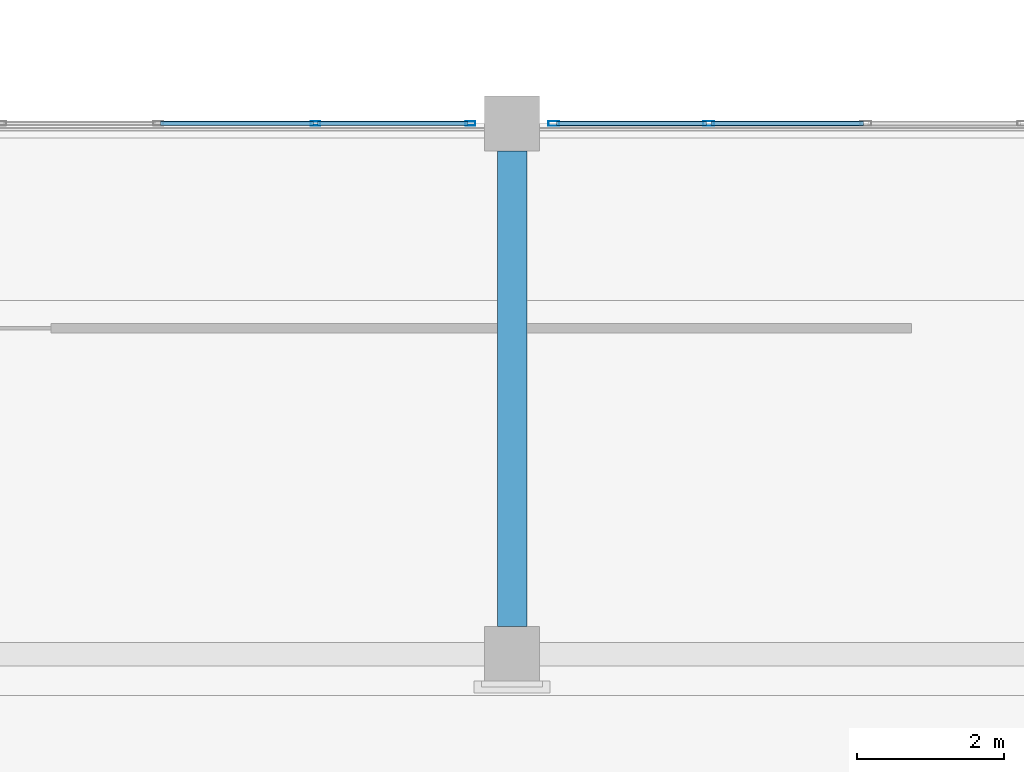
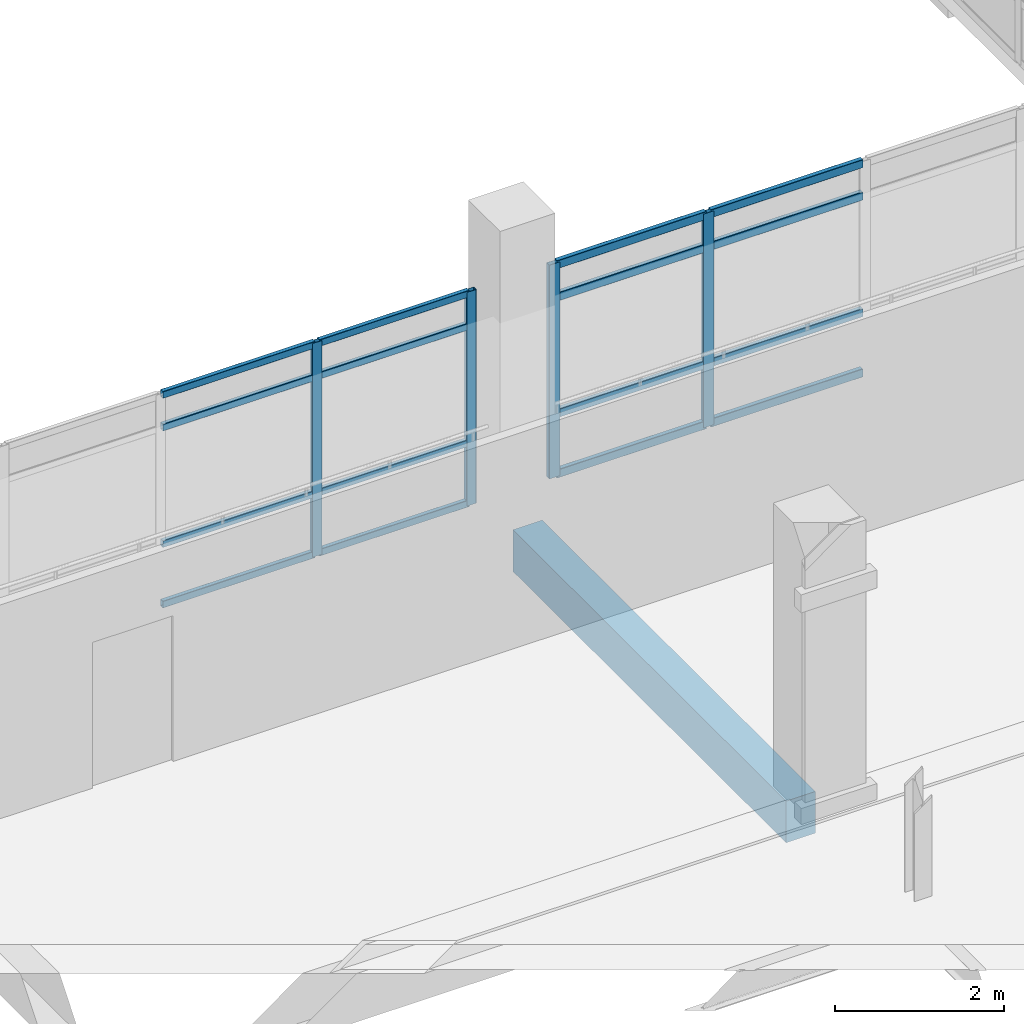
# One storey, part 83 of 180: 20 members, 1 beam, 2 elements without a shape of their own.
"""IFC4 building model written with IfcOpenShell, lengths in metres."""

from ifc_helpers import new_model, si_unit, direction, frame, origin, origin_2d, place, context, subcontext, project, spatial, rectangle, hollow_rectangle, extrude, material, layer, layer_set, material_profile, profile_set, type_object, element, aggregate, save


model = new_model("IFC4")

# Units and contexts
model_context = context("Model", 3, precision=1e-05, world=origin(), true_north=direction((0.0, 1.0)))
body_context = subcontext(model_context, "Body", "Model", "MODEL_VIEW")
ifc_project = project(units=[si_unit("LENGTHUNIT", "METRE"), si_unit("AREAUNIT", "SQUARE_METRE"), si_unit("VOLUMEUNIT", "CUBIC_METRE"), si_unit("PLANEANGLEUNIT", "RADIAN"), si_unit("MASSUNIT", "GRAM", prefix="KILO")], contexts=[model_context])

# Site, building, storey
site_placement = place(None, origin())
site = spatial("IfcSite", under=ifc_project, at=site_placement, CompositionType="ELEMENT")
building_placement = place(site_placement, origin())
building = spatial("IfcBuilding", under=site, at=building_placement, Name="Asteropetra Specialist Clinic", CompositionType="ELEMENT")
storey_placement = place(building_placement, frame((0.0, 0.0, 4.419921875)))
storey = spatial("IfcBuildingStorey", under=building, at=storey_placement, Name="L01", CompositionType="ELEMENT", Elevation=4.419921875)

# Beam
ifc_material_1 = material(Name="Concrete C35/45", Category="concrete")
ifc_material_profile_1 = material_profile(ifc_material_1, rectangle(XDim=0.39990234375, YDim=0.60009765625, at=origin_2d()), Name="RCB 400x600")
ifc_profile_set_1 = profile_set([ifc_material_profile_1], Name="Concrete C35/45")
beam_type = type_object("IfcBeamType", Name="BM-RC400x600", PredefinedType="BEAM", material=ifc_profile_set_1)
beam_placement = place(storey_placement, frame((19.199951171875, 69.97509765625, -0.579833984375), z_axis=(0.0, 1.0, 0.0), x_axis=(-1.0, 0.0, 0.0)))
element("IfcBeam", 1, at=beam_placement, inside=storey, type_object=beam_type, Name="Beam BBM08-0672", PredefinedType="BEAM", context=body_context, shape_type="SweptSolid", body=[
    extrude(rectangle(XDim=0.39990234375, YDim=0.60009765625, at=origin_2d()), origin(), (0.0, 0.0, 1.0), 6.449951171875),
])

# Curtain wall, members
ifc_material_2 = material(Name="Aluminium and low-E glass", Category="aluminium")
ifc_layer_1 = layer(ifc_material_2, 0.14990234375)
ifc_layer_set_1 = layer_set([ifc_layer_1], Name="Aluminium and low-E glass")
curtain_wall_type_1 = type_object("IfcCurtainWallType", Name="CW-SYS-02", PredefinedType="USERDEFINED", material=ifc_layer_set_1)
curtain_wall_1_placement = place(storey_placement, origin())
curtain_wall_1 = element("IfcCurtainWall", 2, at=curtain_wall_1_placement, inside=storey, type_object=curtain_wall_type_1, Name="Curtain Wall CW-017", ObjectType="UNITISED CURTAIN WALL", PredefinedType="USERDEFINED")
ifc_material_3 = material(Name="Aluminium 6063-T6", Category="aluminium")
ifc_material_profile_2 = material_profile(ifc_material_3, hollow_rectangle(XDim=0.06005859375, YDim=0.135009765625, WallThickness=0.00341796875, InnerFilletRadius=0.00341796875, OuterFilletRadius=0.007080078125, at=origin_2d()), Name="MUL 135x60x3.5")
ifc_profile_set_2 = profile_set([ifc_material_profile_2], Name="Aluminium 6063-T6")
member_type_1 = type_object("IfcMemberType", Name="CWM-135x60", PredefinedType="MULLION", material=ifc_profile_set_2)
member_1_placement = place(storey_placement, frame((16.532470703125, 76.800048828125, 0.0), z_axis=(0.0, 0.0, 1.0), x_axis=(0.0, 1.0, 0.0)))
member_1 = element("IfcMember", 3, at=member_1_placement, type_object=member_type_1, Name="CW-017 mullion 4", PredefinedType="MULLION", context=body_context, shape_type="SweptSolid", body=[
    extrude(hollow_rectangle(XDim=0.06005859375, YDim=0.135009765625, WallThickness=0.00341796875, InnerFilletRadius=0.00341796875, OuterFilletRadius=0.007080078125, at=origin_2d()), origin(), (0.0, 0.0, 1.0), 3.080078125),
])
member_2_placement = place(storey_placement, frame((18.635009765625, 76.800048828125, 0.0), z_axis=(0.0, 0.0, 1.0), x_axis=(0.0, 1.0, 0.0)))
member_2 = element("IfcMember", 4, at=member_2_placement, type_object=member_type_1, Name="CW-017 mullion 5", PredefinedType="MULLION", context=body_context, shape_type="SweptSolid", body=[
    extrude(hollow_rectangle(XDim=0.06005859375, YDim=0.135009765625, WallThickness=0.00341796875, InnerFilletRadius=0.00341796875, OuterFilletRadius=0.007080078125, at=origin_2d()), origin(), (0.0, 0.0, 1.0), 3.080078125),
])

ifc_material_4 = material(Name="Aluminium and low-E glass", Category="aluminium")
ifc_layer_2 = layer(ifc_material_4, 0.135009765625)
ifc_layer_set_2 = layer_set([ifc_layer_2], Name="Aluminium and low-E glass")
curtain_wall_type_2 = type_object("IfcCurtainWallType", Name="CW-SYS-03", PredefinedType="USERDEFINED", material=ifc_layer_set_2)
curtain_wall_2_placement = place(storey_placement, origin())
curtain_wall_2 = element("IfcCurtainWall", 5, at=curtain_wall_2_placement, inside=storey, type_object=curtain_wall_type_2, Name="Curtain Wall CW-019", ObjectType="UNITISED CURTAIN WALL", PredefinedType="USERDEFINED")
ifc_material_5 = material(Name="Aluminium 6063-T6", Category="aluminium")
ifc_material_profile_3 = material_profile(ifc_material_5, hollow_rectangle(XDim=0.06494140625, YDim=0.14990234375, WallThickness=0.00390625, InnerFilletRadius=0.00390625, OuterFilletRadius=0.008056640625, at=origin_2d()), Name="MUL 150x65x4.0")
ifc_profile_set_3 = profile_set([ifc_material_profile_3], Name="Aluminium 6063-T6")
member_type_2 = type_object("IfcMemberType", Name="CWM-150x65", PredefinedType="MULLION", material=ifc_profile_set_3)
member_3_placement = place(storey_placement, frame((19.767578125, 76.800048828125, 0.0), z_axis=(0.0, 0.0, 1.0), x_axis=(0.0, 1.0, 0.0)))
member_3 = element("IfcMember", 6, at=member_3_placement, type_object=member_type_2, Name="CW-019 mullion 1", PredefinedType="MULLION", context=body_context, shape_type="SweptSolid", body=[
    extrude(hollow_rectangle(XDim=0.06494140625, YDim=0.14990234375, WallThickness=0.00390625, InnerFilletRadius=0.00390625, OuterFilletRadius=0.008056640625, at=origin_2d()), origin(), (0.0, 0.0, 1.0), 3.080078125),
])
member_4_placement = place(storey_placement, frame((21.867431640625, 76.800048828125, 0.0), z_axis=(0.0, 0.0, 1.0), x_axis=(0.0, 1.0, 0.0)))
member_4 = element("IfcMember", 7, at=member_4_placement, type_object=member_type_2, Name="CW-019 mullion 2", PredefinedType="MULLION", context=body_context, shape_type="SweptSolid", body=[
    extrude(hollow_rectangle(XDim=0.06494140625, YDim=0.14990234375, WallThickness=0.00390625, InnerFilletRadius=0.00390625, OuterFilletRadius=0.008056640625, at=origin_2d()), origin(), (0.0, 0.0, 1.0), 3.080078125),
])

# Member
ifc_material_6 = material(Name="Aluminium 6063-T6", Category="aluminium")
ifc_material_profile_4 = material_profile(ifc_material_6, hollow_rectangle(XDim=0.06005859375, YDim=0.10009765625, WallThickness=0.00341796875, InnerFilletRadius=0.00341796875, OuterFilletRadius=0.007080078125, at=origin_2d()), Name="TRN 100x60x3.5")
ifc_profile_set_4 = profile_set([ifc_material_profile_4], Name="Aluminium 6063-T6")
member_type_3 = type_object("IfcMemberType", Name="CWT-100x60", PredefinedType="USERDEFINED", material=ifc_profile_set_4)
member_5_placement = place(storey_placement, frame((14.429931640625, 76.800048828125, 0.030029296875), z_axis=(1.0, 0.0, 0.0), x_axis=(0.0, 1.0, 0.0)))
member_5 = element("IfcMember", 8, at=member_5_placement, type_object=member_type_3, Name="CW-017 transom 3.1", ObjectType="TRANSOM", PredefinedType="USERDEFINED", context=body_context, shape_type="SweptSolid", body=[
    extrude(hollow_rectangle(XDim=0.06005859375, YDim=0.10009765625, WallThickness=0.00341796875, InnerFilletRadius=0.00341796875, OuterFilletRadius=0.007080078125, at=origin_2d()), origin(), (0.0, 0.0, 1.0), 2.072509765625),
])

member_6_placement = place(storey_placement, frame((14.429931640625, 76.800048828125, 0.900146484375), z_axis=(1.0, 0.0, 0.0), x_axis=(0.0, 1.0, 0.0)))
member_6 = element("IfcMember", 9, at=member_6_placement, type_object=member_type_3, Name="CW-017 transom 3.2", ObjectType="TRANSOM", PredefinedType="USERDEFINED", context=body_context, shape_type="SweptSolid", body=[
    extrude(hollow_rectangle(XDim=0.06005859375, YDim=0.10009765625, WallThickness=0.00341796875, InnerFilletRadius=0.00341796875, OuterFilletRadius=0.007080078125, at=origin_2d()), origin(), (0.0, 0.0, 1.0), 2.072509765625),
])

member_7_placement = place(storey_placement, frame((14.429931640625, 76.800048828125, 2.580078125), z_axis=(1.0, 0.0, 0.0), x_axis=(0.0, 1.0, 0.0)))
member_7 = element("IfcMember", 10, at=member_7_placement, type_object=member_type_3, Name="CW-017 transom 3.3", ObjectType="TRANSOM", PredefinedType="USERDEFINED", context=body_context, shape_type="SweptSolid", body=[
    extrude(hollow_rectangle(XDim=0.06005859375, YDim=0.10009765625, WallThickness=0.00341796875, InnerFilletRadius=0.00341796875, OuterFilletRadius=0.007080078125, at=origin_2d()), origin(), (0.0, 0.0, 1.0), 2.072509765625),
])

member_8_placement = place(storey_placement, frame((14.429931640625, 76.800048828125, 3.050048828125), z_axis=(1.0, 0.0, 0.0), x_axis=(0.0, 1.0, 0.0)))
member_8 = element("IfcMember", 11, at=member_8_placement, type_object=member_type_3, Name="CW-017 transom 3.4", ObjectType="TRANSOM", PredefinedType="USERDEFINED", context=body_context, shape_type="SweptSolid", body=[
    extrude(hollow_rectangle(XDim=0.06005859375, YDim=0.10009765625, WallThickness=0.00341796875, InnerFilletRadius=0.00341796875, OuterFilletRadius=0.007080078125, at=origin_2d()), origin(), (0.0, 0.0, 1.0), 2.072509765625),
])

member_9_placement = place(storey_placement, frame((16.5625, 76.800048828125, 0.030029296875), z_axis=(1.0, 0.0, 0.0), x_axis=(0.0, 1.0, 0.0)))
member_9 = element("IfcMember", 12, at=member_9_placement, type_object=member_type_3, Name="CW-017 transom 4.1", ObjectType="TRANSOM", PredefinedType="USERDEFINED", context=body_context, shape_type="SweptSolid", body=[
    extrude(hollow_rectangle(XDim=0.06005859375, YDim=0.10009765625, WallThickness=0.00341796875, InnerFilletRadius=0.00341796875, OuterFilletRadius=0.007080078125, at=origin_2d()), origin(), (0.0, 0.0, 1.0), 2.04248046875),
])

member_10_placement = place(storey_placement, frame((16.5625, 76.800048828125, 0.900146484375), z_axis=(1.0, 0.0, 0.0), x_axis=(0.0, 1.0, 0.0)))
member_10 = element("IfcMember", 13, at=member_10_placement, type_object=member_type_3, Name="CW-017 transom 4.2", ObjectType="TRANSOM", PredefinedType="USERDEFINED", context=body_context, shape_type="SweptSolid", body=[
    extrude(hollow_rectangle(XDim=0.06005859375, YDim=0.10009765625, WallThickness=0.00341796875, InnerFilletRadius=0.00341796875, OuterFilletRadius=0.007080078125, at=origin_2d()), origin(), (0.0, 0.0, 1.0), 2.04248046875),
])

member_11_placement = place(storey_placement, frame((16.5625, 76.800048828125, 2.580078125), z_axis=(1.0, 0.0, 0.0), x_axis=(0.0, 1.0, 0.0)))
member_11 = element("IfcMember", 14, at=member_11_placement, type_object=member_type_3, Name="CW-017 transom 4.3", ObjectType="TRANSOM", PredefinedType="USERDEFINED", context=body_context, shape_type="SweptSolid", body=[
    extrude(hollow_rectangle(XDim=0.06005859375, YDim=0.10009765625, WallThickness=0.00341796875, InnerFilletRadius=0.00341796875, OuterFilletRadius=0.007080078125, at=origin_2d()), origin(), (0.0, 0.0, 1.0), 2.04248046875),
])

member_12_placement = place(storey_placement, frame((16.5625, 76.800048828125, 3.050048828125), z_axis=(1.0, 0.0, 0.0), x_axis=(0.0, 1.0, 0.0)))
member_12 = element("IfcMember", 15, at=member_12_placement, type_object=member_type_3, Name="CW-017 transom 4.4", ObjectType="TRANSOM", PredefinedType="USERDEFINED", context=body_context, shape_type="SweptSolid", body=[
    extrude(hollow_rectangle(XDim=0.06005859375, YDim=0.10009765625, WallThickness=0.00341796875, InnerFilletRadius=0.00341796875, OuterFilletRadius=0.007080078125, at=origin_2d()), origin(), (0.0, 0.0, 1.0), 2.04248046875),
])

aggregate(curtain_wall_1, [member_1, member_2, member_5, member_6, member_7, member_8, member_9, member_10, member_11, member_12])

ifc_material_7 = material(Name="Aluminium 6063-T6", Category="aluminium")
ifc_material_profile_5 = material_profile(ifc_material_7, hollow_rectangle(XDim=0.06494140625, YDim=0.1201171875, WallThickness=0.00390625, InnerFilletRadius=0.00390625, OuterFilletRadius=0.008056640625, at=origin_2d()), Name="TRN 120x65x4.0")
ifc_profile_set_5 = profile_set([ifc_material_profile_5], Name="Aluminium 6063-T6")
member_type_4 = type_object("IfcMemberType", Name="CWT-120x65", PredefinedType="USERDEFINED", material=ifc_profile_set_5)
member_13_placement = place(storey_placement, frame((19.800048828125, 76.800048828125, 0.032470703125), z_axis=(1.0, 0.0, 0.0), x_axis=(0.0, 1.0, 0.0)))
member_13 = element("IfcMember", 16, at=member_13_placement, type_object=member_type_4, Name="CW-019 transom 1.1", ObjectType="TRANSOM", PredefinedType="USERDEFINED", context=body_context, shape_type="SweptSolid", body=[
    extrude(hollow_rectangle(XDim=0.06494140625, YDim=0.1201171875, WallThickness=0.00390625, InnerFilletRadius=0.00390625, OuterFilletRadius=0.008056640625, at=origin_2d()), origin(), (0.0, 0.0, 1.0), 2.034912109375),
])

member_14_placement = place(storey_placement, frame((19.800048828125, 76.800048828125, 0.900146484375), z_axis=(1.0, 0.0, 0.0), x_axis=(0.0, 1.0, 0.0)))
member_14 = element("IfcMember", 17, at=member_14_placement, type_object=member_type_4, Name="CW-019 transom 1.2", ObjectType="TRANSOM", PredefinedType="USERDEFINED", context=body_context, shape_type="SweptSolid", body=[
    extrude(hollow_rectangle(XDim=0.06494140625, YDim=0.1201171875, WallThickness=0.00390625, InnerFilletRadius=0.00390625, OuterFilletRadius=0.008056640625, at=origin_2d()), origin(), (0.0, 0.0, 1.0), 2.034912109375),
])

member_15_placement = place(storey_placement, frame((19.800048828125, 76.800048828125, 2.580078125), z_axis=(1.0, 0.0, 0.0), x_axis=(0.0, 1.0, 0.0)))
member_15 = element("IfcMember", 18, at=member_15_placement, type_object=member_type_4, Name="CW-019 transom 1.3", ObjectType="TRANSOM", PredefinedType="USERDEFINED", context=body_context, shape_type="SweptSolid", body=[
    extrude(hollow_rectangle(XDim=0.06494140625, YDim=0.1201171875, WallThickness=0.00390625, InnerFilletRadius=0.00390625, OuterFilletRadius=0.008056640625, at=origin_2d()), origin(), (0.0, 0.0, 1.0), 2.034912109375),
])

member_16_placement = place(storey_placement, frame((19.800048828125, 76.800048828125, 3.047607421875), z_axis=(1.0, 0.0, 0.0), x_axis=(0.0, 1.0, 0.0)))
member_16 = element("IfcMember", 19, at=member_16_placement, type_object=member_type_4, Name="CW-019 transom 1.4", ObjectType="TRANSOM", PredefinedType="USERDEFINED", context=body_context, shape_type="SweptSolid", body=[
    extrude(hollow_rectangle(XDim=0.06494140625, YDim=0.1201171875, WallThickness=0.00390625, InnerFilletRadius=0.00390625, OuterFilletRadius=0.008056640625, at=origin_2d()), origin(), (0.0, 0.0, 1.0), 2.034912109375),
])

member_17_placement = place(storey_placement, frame((21.89990234375, 76.800048828125, 0.032470703125), z_axis=(1.0, 0.0, 0.0), x_axis=(0.0, 1.0, 0.0)))
member_17 = element("IfcMember", 20, at=member_17_placement, type_object=member_type_4, Name="CW-019 transom 2.1", ObjectType="TRANSOM", PredefinedType="USERDEFINED", context=body_context, shape_type="SweptSolid", body=[
    extrude(hollow_rectangle(XDim=0.06494140625, YDim=0.1201171875, WallThickness=0.00390625, InnerFilletRadius=0.00390625, OuterFilletRadius=0.008056640625, at=origin_2d()), origin(), (0.0, 0.0, 1.0), 2.067626953125),
])

member_18_placement = place(storey_placement, frame((21.89990234375, 76.800048828125, 0.900146484375), z_axis=(1.0, 0.0, 0.0), x_axis=(0.0, 1.0, 0.0)))
member_18 = element("IfcMember", 21, at=member_18_placement, type_object=member_type_4, Name="CW-019 transom 2.2", ObjectType="TRANSOM", PredefinedType="USERDEFINED", context=body_context, shape_type="SweptSolid", body=[
    extrude(hollow_rectangle(XDim=0.06494140625, YDim=0.1201171875, WallThickness=0.00390625, InnerFilletRadius=0.00390625, OuterFilletRadius=0.008056640625, at=origin_2d()), origin(), (0.0, 0.0, 1.0), 2.067626953125),
])

member_19_placement = place(storey_placement, frame((21.89990234375, 76.800048828125, 2.580078125), z_axis=(1.0, 0.0, 0.0), x_axis=(0.0, 1.0, 0.0)))
member_19 = element("IfcMember", 22, at=member_19_placement, type_object=member_type_4, Name="CW-019 transom 2.3", ObjectType="TRANSOM", PredefinedType="USERDEFINED", context=body_context, shape_type="SweptSolid", body=[
    extrude(hollow_rectangle(XDim=0.06494140625, YDim=0.1201171875, WallThickness=0.00390625, InnerFilletRadius=0.00390625, OuterFilletRadius=0.008056640625, at=origin_2d()), origin(), (0.0, 0.0, 1.0), 2.067626953125),
])

member_20_placement = place(storey_placement, frame((21.89990234375, 76.800048828125, 3.047607421875), z_axis=(1.0, 0.0, 0.0), x_axis=(0.0, 1.0, 0.0)))
member_20 = element("IfcMember", 23, at=member_20_placement, type_object=member_type_4, Name="CW-019 transom 2.4", ObjectType="TRANSOM", PredefinedType="USERDEFINED", context=body_context, shape_type="SweptSolid", body=[
    extrude(hollow_rectangle(XDim=0.06494140625, YDim=0.1201171875, WallThickness=0.00390625, InnerFilletRadius=0.00390625, OuterFilletRadius=0.008056640625, at=origin_2d()), origin(), (0.0, 0.0, 1.0), 2.067626953125),
])

aggregate(curtain_wall_2, [member_3, member_4, member_13, member_14, member_15, member_16, member_17, member_18, member_19, member_20])

save(model, "model.ifc")
